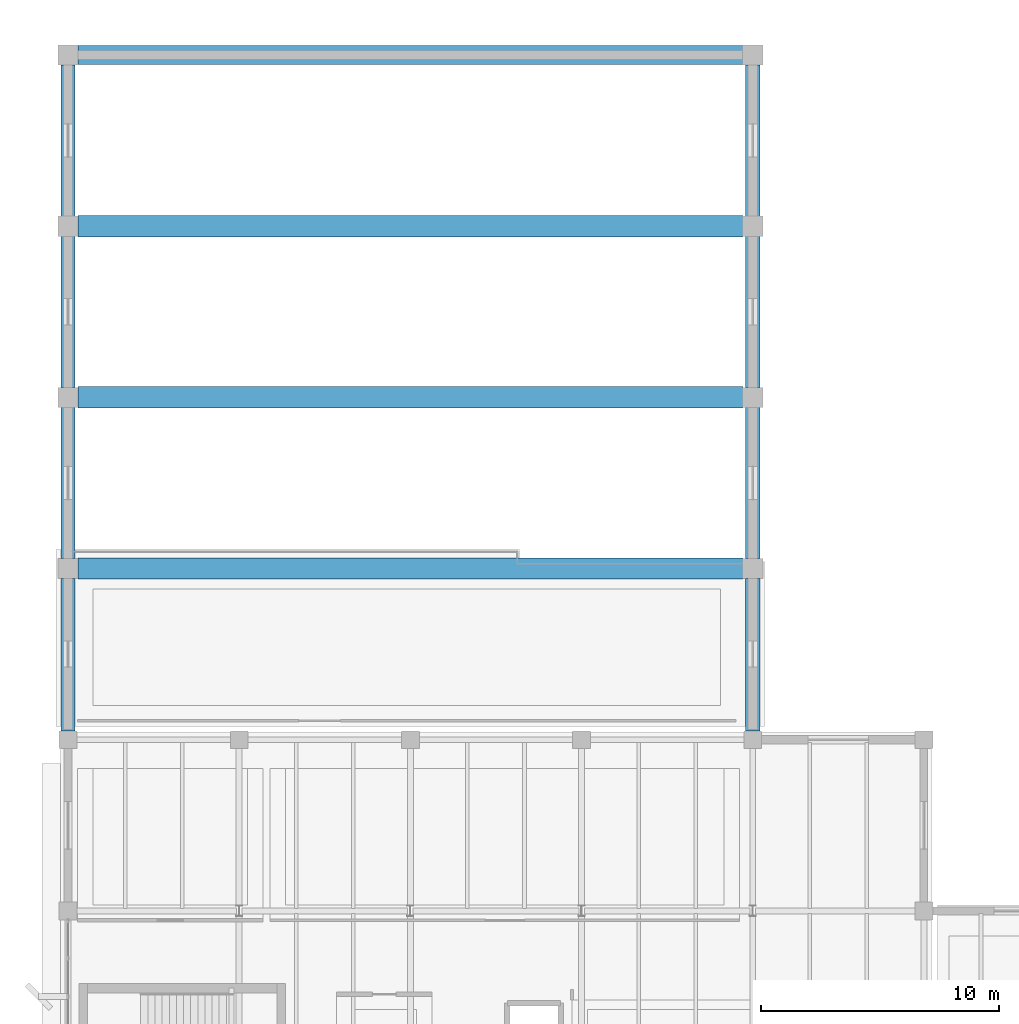
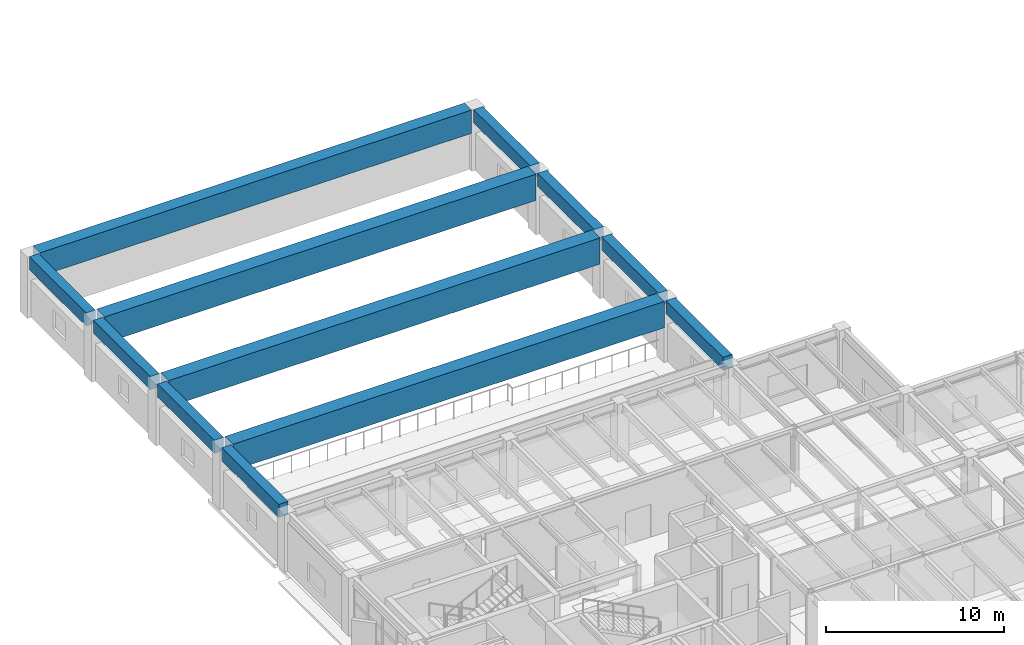
# One storey, part 18 of 37: 12 beams.
"""IFC4 building model written with IfcOpenShell, lengths in metres."""

from ifc_helpers import new_model, si_unit, direction, frame, origin, origin_2d, place, context, subcontext, project, spatial, rectangle, extrude, material, material_profile, profile_set, type_object, element, save


model = new_model("IFC4")

# Units and contexts
model_context = context("Model", 3, precision=1e-05, world=origin(), true_north=direction((0.0, 1.0)))
body_context = subcontext(model_context, "Body", "Model", "MODEL_VIEW")
ifc_project = project(units=[si_unit("LENGTHUNIT", "METRE"), si_unit("AREAUNIT", "SQUARE_METRE"), si_unit("VOLUMEUNIT", "CUBIC_METRE"), si_unit("PLANEANGLEUNIT", "RADIAN"), si_unit("MASSUNIT", "GRAM", prefix="KILO")], contexts=[model_context])

# Site, building, storey
site_placement = place(None, origin())
site = spatial("IfcSite", under=ifc_project, at=site_placement, CompositionType="ELEMENT")
building_placement = place(site_placement, origin())
building = spatial("IfcBuilding", under=site, at=building_placement, Name="Kandorven Conservatory and Botanical Research Centre", CompositionType="ELEMENT")
storey_placement = place(building_placement, frame((0.0, 0.0, 9.0)))
storey = spatial("IfcBuildingStorey", under=building, at=storey_placement, Name="L02", CompositionType="ELEMENT", Elevation=9.0)

# Beams
ifc_material_1 = material(Name="Concrete C40/50 (M50)", Category="concrete")
ifc_material_profile_1 = material_profile(ifc_material_1, rectangle(XDim=0.800048828125, YDim=1.60009765625, at=origin_2d()))
ifc_profile_set_1 = profile_set([ifc_material_profile_1], Name="Concrete C40/50 (M50)")
beam_type_1 = type_object("IfcBeamType", Name="Beam_CG-01", PredefinedType="USERDEFINED", material=ifc_profile_set_1)
beam_1_placement = place(storey_placement, frame((6.4150390625, 63.60009765625, 3.39990234375), z_axis=(1.0, 0.0, 0.0), x_axis=(0.0, 1.0, 0.0)))
element("IfcBeam", 1, at=beam_1_placement, inside=storey, type_object=beam_type_1, Name="Auditorium clear-span folded-plate portal girder CG-01", ObjectType="GIRDER", PredefinedType="USERDEFINED", context=body_context, shape_type="SweptSolid", body=[
    extrude(rectangle(XDim=0.800048828125, YDim=1.60009765625, at=origin_2d()), origin(), (0.0, 0.0, 1.0), 27.969970703125),
])
ifc_material_2 = material(Name="Concrete C40/50 (M50)", Category="concrete")
ifc_material_profile_2 = material_profile(ifc_material_2, rectangle(XDim=0.89990234375, YDim=1.800048828125, at=origin_2d()))
ifc_profile_set_2 = profile_set([ifc_material_profile_2], Name="Concrete C40/50 (M50)")
beam_type_2 = type_object("IfcBeamType", Name="Beam_CG-02", PredefinedType="USERDEFINED", material=ifc_profile_set_2)
for number, where, z_axis, x_axis, name in (
    (2, (6.4150390625, 42.0, 3.300048828125), (1.0, 0.0, 0.0), (0.0, 1.0, 0.0), "Auditorium clear-span folded-plate portal girder CG-02"),
    (3, (6.4150390625, 49.199951171875, 3.300048828125), (1.0, 0.0, 0.0), (0.0, 1.0, 0.0), "Auditorium clear-span folded-plate portal girder CG-02"),
    (4, (6.4150390625, 56.39990234375, 3.300048828125), (1.0, 0.0, 0.0), (0.0, 1.0, 0.0), "Auditorium clear-span folded-plate portal girder CG-02"),
):
    element("IfcBeam", number, at=place(storey_placement, frame(where, z_axis=z_axis, x_axis=x_axis)), inside=storey, type_object=beam_type_2, Name=name, ObjectType="GIRDER", PredefinedType="USERDEFINED", context=body_context, shape_type="SweptSolid", body=[
        extrude(rectangle(XDim=0.89990234375, YDim=1.800048828125, at=origin_2d()), origin(), (0.0, 0.0, 1.0), 27.969970703125),
    ])
ifc_material_3 = material(Name="Concrete C40/50 (M50)", Category="concrete")
ifc_material_profile_3 = material_profile(ifc_material_3, rectangle(XDim=0.60009765625, YDim=0.89990234375, at=origin_2d()))
ifc_profile_set_3 = profile_set([ifc_material_profile_3], Name="Concrete C40/50 (M50)")
beam_type_3 = type_object("IfcBeamType", Name="Beam_CG-03", PredefinedType="SPANDREL", material=ifc_profile_set_3)
beam_2_placement = place(storey_placement, frame((6.0, 35.159912109375, 3.75), z_axis=(0.0, 1.0, 0.0), x_axis=(-1.0, 0.0, 0.0)))
element("IfcBeam", 5, at=beam_2_placement, inside=storey, type_object=beam_type_3, Name="Auditorium longitudinal edge beam CG-03 L02", PredefinedType="SPANDREL", context=body_context, shape_type="SweptSolid", body=[
    extrude(rectangle(XDim=0.60009765625, YDim=0.89990234375, at=origin_2d()), origin(), (0.0, 0.0, 1.0), 6.425048828125),
])
beam_3_placement = place(storey_placement, frame((6.0, 42.4150390625, 3.75), z_axis=(0.0, 1.0, 0.0), x_axis=(-1.0, 0.0, 0.0)))
element("IfcBeam", 6, at=beam_3_placement, inside=storey, type_object=beam_type_3, Name="Auditorium longitudinal edge beam CG-03 L02", PredefinedType="SPANDREL", context=body_context, shape_type="SweptSolid", body=[
    extrude(rectangle(XDim=0.60009765625, YDim=0.89990234375, at=origin_2d()), origin(), (0.0, 0.0, 1.0), 6.369873046875),
])
for number, where, z_axis, x_axis, name in (
    (7, (6.0, 49.614990234375, 3.75), (0.0, 1.0, 0.0), (-1.0, 0.0, 0.0), "Auditorium longitudinal edge beam CG-03 L02"),
    (8, (6.0, 56.81494140625, 3.75), (0.0, 1.0, 0.0), (-1.0, 0.0, 0.0), "Auditorium longitudinal edge beam CG-03 L02"),
):
    element("IfcBeam", number, at=place(storey_placement, frame(where, z_axis=z_axis, x_axis=x_axis)), inside=storey, type_object=beam_type_3, Name=name, PredefinedType="SPANDREL", context=body_context, shape_type="SweptSolid", body=[
        extrude(rectangle(XDim=0.60009765625, YDim=0.89990234375, at=origin_2d()), origin(), (0.0, 0.0, 1.0), 6.3701171875),
    ])
beam_4_placement = place(storey_placement, frame((34.800048828125, 35.159912109375, 3.75), z_axis=(0.0, 1.0, 0.0), x_axis=(-1.0, 0.0, 0.0)))
element("IfcBeam", 9, at=beam_4_placement, inside=storey, type_object=beam_type_3, Name="Auditorium longitudinal edge beam CG-03 L02", PredefinedType="SPANDREL", context=body_context, shape_type="SweptSolid", body=[
    extrude(rectangle(XDim=0.60009765625, YDim=0.89990234375, at=origin_2d()), origin(), (0.0, 0.0, 1.0), 6.425048828125),
])
beam_5_placement = place(storey_placement, frame((34.800048828125, 42.4150390625, 3.75), z_axis=(0.0, 1.0, 0.0), x_axis=(-1.0, 0.0, 0.0)))
element("IfcBeam", 10, at=beam_5_placement, inside=storey, type_object=beam_type_3, Name="Auditorium longitudinal edge beam CG-03 L02", PredefinedType="SPANDREL", context=body_context, shape_type="SweptSolid", body=[
    extrude(rectangle(XDim=0.60009765625, YDim=0.89990234375, at=origin_2d()), origin(), (0.0, 0.0, 1.0), 6.369873046875),
])
for number, where, z_axis, x_axis, name in (
    (11, (34.800048828125, 49.614990234375, 3.75), (0.0, 1.0, 0.0), (-1.0, 0.0, 0.0), "Auditorium longitudinal edge beam CG-03 L02"),
    (12, (34.800048828125, 56.81494140625, 3.75), (0.0, 1.0, 0.0), (-1.0, 0.0, 0.0), "Auditorium longitudinal edge beam CG-03 L02"),
):
    element("IfcBeam", number, at=place(storey_placement, frame(where, z_axis=z_axis, x_axis=x_axis)), inside=storey, type_object=beam_type_3, Name=name, PredefinedType="SPANDREL", context=body_context, shape_type="SweptSolid", body=[
        extrude(rectangle(XDim=0.60009765625, YDim=0.89990234375, at=origin_2d()), origin(), (0.0, 0.0, 1.0), 6.3701171875),
    ])

save(model, "model.ifc")
